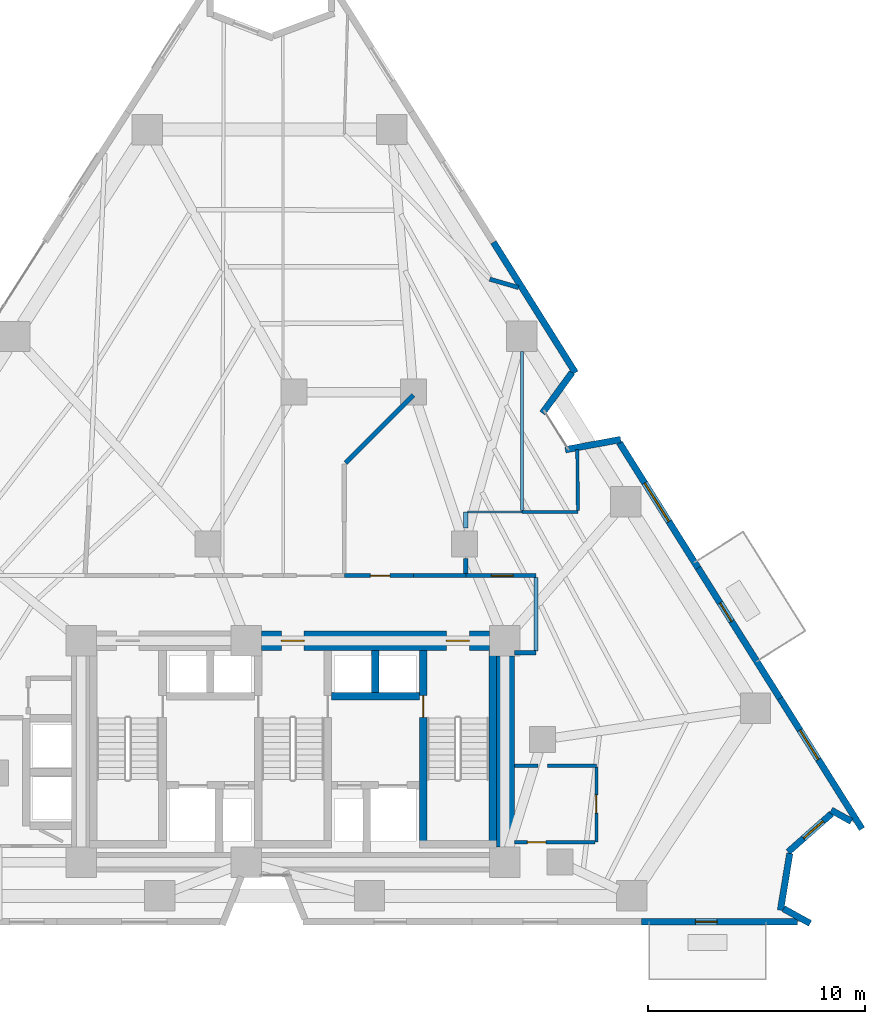
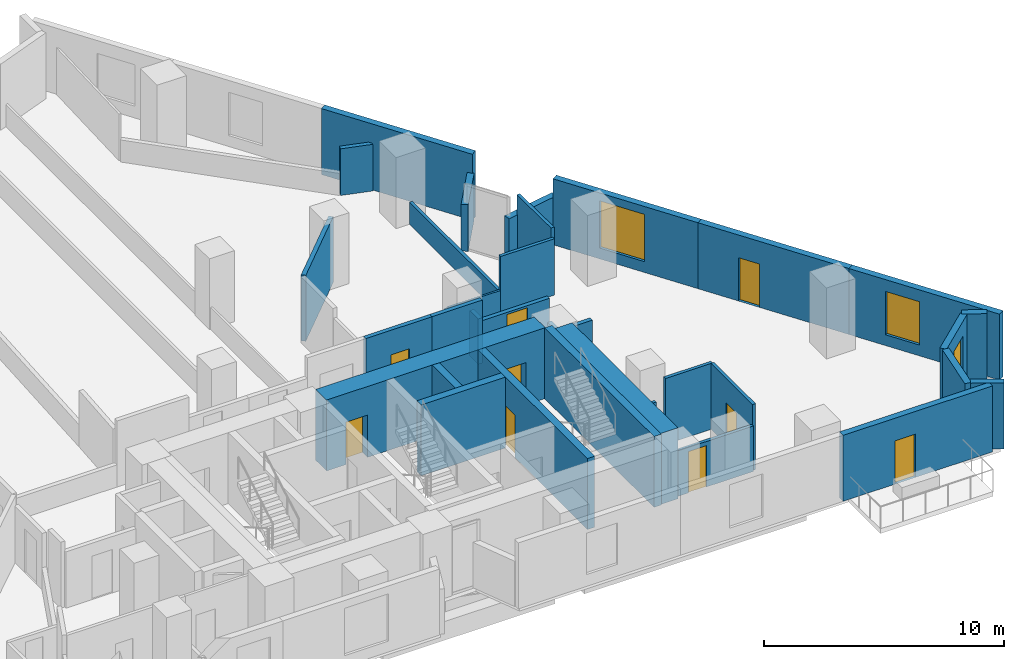
# One storey, part 8 of 12: 34 walls, 9 doors, 3 windows, 12 openings.
"""IFC4 building model written with IfcOpenShell, lengths in metres."""

from ifc_helpers import new_model, si_unit, direction, frame, frame_2d, origin, place, context, subcontext, project, spatial, rectangle, extrude, material, layer, layer_set, type_object, element, fill, save


model = new_model("IFC4")

# Units and contexts
model_context = context("Model", 3, precision=1e-05, world=origin(), true_north=direction((0.0, 1.0)))
body_context = subcontext(model_context, "Body", "Model", "MODEL_VIEW")
ifc_project = project(units=[si_unit("LENGTHUNIT", "METRE"), si_unit("AREAUNIT", "SQUARE_METRE"), si_unit("VOLUMEUNIT", "CUBIC_METRE"), si_unit("PLANEANGLEUNIT", "RADIAN"), si_unit("MASSUNIT", "GRAM", prefix="KILO")], contexts=[model_context])

# Site, building, storey
site_placement = place(None, origin())
site = spatial("IfcSite", under=ifc_project, at=site_placement, CompositionType="ELEMENT")
building_placement = place(site_placement, origin())
building = spatial("IfcBuilding", under=site, at=building_placement, Name="Almagre Mirador Tower", CompositionType="ELEMENT")
storey_placement = place(building_placement, frame((0.0, 0.0, 71.39990234375)))
storey = spatial("IfcBuildingStorey", under=building, at=storey_placement, Name="L17", CompositionType="ELEMENT", Elevation=71.39990234375)

# Walls
ifc_material_1 = material(Name="Precast concrete C50/60", Category="concrete")
ifc_layer_1 = layer(ifc_material_1, 0.300048828125)
ifc_layer_set_1 = layer_set([ifc_layer_1], Name="Precast concrete C50/60")
wall_type_1 = type_object("IfcWallType", Name="WAL-EXT-300", PredefinedType="SOLIDWALL", material=ifc_layer_set_1)
wall_1_placement = place(storey_placement, frame((46.53955078125, 33.098876953125, 0.0), z_axis=(0.0, 0.0, 1.0), x_axis=(0.531881188868, -0.846818989471, 0.0)))
element("IfcWall", 1, at=wall_1_placement, inside=storey, type_object=wall_type_1, Name="L17 expressed almagre precast frame wall 11", PredefinedType="SOLIDWALL", context=body_context, shape_type="SweptSolid", body=[
    extrude(rectangle(XDim=7.095458984375, YDim=0.300048828125, at=frame_2d((3.5478515625, 0.0))), origin(), (0.0, 0.0, 1.0), 3.35009765625),
])
wall_2_placement = place(storey_placement, frame((50.1591796875, 27.10009765625, 0.0), z_axis=(0.0, 0.0, 1.0), x_axis=(-0.589910976018, -0.80746829063, 0.0)))
element("IfcWall", 2, at=wall_2_placement, inside=storey, type_object=wall_type_1, Name="L17 expressed almagre precast frame wall 12", PredefinedType="SOLIDWALL", context=body_context, shape_type="SweptSolid", body=[
    extrude(rectangle(XDim=2.318359375, YDim=0.300048828125, at=frame_2d((1.1591796875, 0.0))), origin(), (0.0, 0.0, 1.0), 2.375),
])
wall_3_placement = place(storey_placement, frame((49.847412109375, 23.545654296875, 0.0), z_axis=(0.0, 0.0, 1.0), x_axis=(0.98340285181, 0.181435473521, 0.0)))
element("IfcWall", 3, at=wall_3_placement, inside=storey, type_object=wall_type_1, Name="L17 expressed almagre precast frame wall 13", PredefinedType="SOLIDWALL", context=body_context, shape_type="SweptSolid", body=[
    extrude(rectangle(XDim=2.59423828125, YDim=0.300048828125, at=frame_2d((1.297119140625, 0.0))), origin(), (0.0, 0.0, 1.0), 2.375),
])

# Wall, opening, window
wall_4_placement = place(storey_placement, frame((52.332763671875, 23.876708984375, 0.0), z_axis=(0.0, 0.0, 1.0), x_axis=(0.531902467435, -0.846805624176, 0.0)))
wall_4 = element("IfcWall", 4, at=wall_4_placement, inside=storey, type_object=wall_type_1, Name="L17 expressed almagre precast frame wall 14", PredefinedType="SOLIDWALL", context=body_context, shape_type="SweptSolid", body=[
    extrude(rectangle(XDim=6.8203125, YDim=0.300048828125, at=frame_2d((3.41015625, 0.0))), origin(), (0.0, 0.0, 1.0), 3.35009765625),
])
opening_1_placement = place(wall_4_placement, frame((2.199951171875, 0.0, 0.550048828125)))
opening_1 = element("IfcOpeningElement", 5, at=opening_1_placement, cuts=wall_4, Name="Opening WN-05", PredefinedType="OPENING", context=body_context, shape_type="SweptSolid", body=[
    extrude(rectangle(XDim=2.10009765625, YDim=2.39990234375, at=frame_2d((1.050048828125, 1.199951171875))), frame((0.0, 0.159902, 0.0), z_axis=(0.0, -1.0, 0.0), x_axis=(1.0, 0.0, 0.0)), (0.0, 0.0, 1.0), 0.320049),
])
ifc_material_2 = material(Name="Dark solar-control laminated hurricane glass", Category="glass")
window_type_1 = type_object("IfcWindowType", Name="WIN-2100X2400", PartitioningType="DOUBLE_PANEL_VERTICAL", PredefinedType="WINDOW", material=ifc_material_2)
window_1_placement = place(opening_1_placement, origin())
window_1 = element("IfcWindow", 6, at=window_1_placement, inside=storey, type_object=window_type_1, Name="L17 recessed hurricane window L17-UJ-KT", OverallHeight=2.39990234375, OverallWidth=2.10009765625, PartitioningType="SINGLE_PANEL", PredefinedType="WINDOW", context=body_context, shape_type="SweptSolid", body=[
    extrude(rectangle(XDim=2.10009765625, YDim=2.39990234375, at=frame_2d((1.050048828125, 1.199951171875))), frame((0.0, 0.030029296875, 0.0), z_axis=(0.0, -1.0, 0.0), x_axis=(1.0, 0.0, 0.0)), (0.0, 0.0, 1.0), 0.06005859375),
])
fill(opening_1, window_1)

# Wall, opening, door
wall_5_placement = place(storey_placement, frame((55.96044921875, 18.101318359375, 0.0), z_axis=(0.0, 0.0, 1.0), x_axis=(0.531905862358, -0.84680349172, 0.0)))
wall_5 = element("IfcWall", 7, at=wall_5_placement, inside=storey, type_object=wall_type_1, Name="L17 expressed almagre precast frame wall 15", PredefinedType="SOLIDWALL", context=body_context, shape_type="SweptSolid", body=[
    extrude(rectangle(XDim=7.095458984375, YDim=0.300048828125, at=frame_2d((3.5478515625, 0.0))), origin(), (0.0, 0.0, 1.0), 3.35009765625),
])
opening_2_placement = place(wall_5_placement, frame((1.9013671875, 0.0, 0.0)))
opening_2 = element("IfcOpeningElement", 8, at=opening_2_placement, cuts=wall_5, Name="Opening BD-01", PredefinedType="OPENING", context=body_context, shape_type="SweptSolid", body=[
    extrude(rectangle(XDim=1.0, YDim=2.199951171875, at=frame_2d((0.5, 1.10009765625))), frame((0.0, 0.159902, 0.0), z_axis=(0.0, -1.0, 0.0), x_axis=(1.0, 0.0, 0.0)), (0.0, 0.0, 1.0), 0.320049),
])
ifc_material_3 = material(Name="Black anodized aluminium and laminated glass", Category="aluminium")
door_type_1 = type_object("IfcDoorType", Name="DOR-BAL-1000X2200", OperationType="NOTDEFINED", PredefinedType="DOOR", material=ifc_material_3)
door_1_placement = place(opening_2_placement, origin())
door_1 = element("IfcDoor", 9, at=door_1_placement, inside=storey, type_object=door_type_1, Name="DR-0571 L17 east balcony glazed door 2", OperationType="SINGLE_SWING_RIGHT", OverallHeight=2.199951171875, OverallWidth=1.0, PredefinedType="DOOR", context=body_context, shape_type="SweptSolid", body=[
    extrude(rectangle(XDim=1.0, YDim=2.199951171875, at=frame_2d((0.5, 1.10009765625))), frame((0.0, 0.02490234375, 0.0), z_axis=(0.0, -1.0, 0.0), x_axis=(1.0, 0.0, 0.0)), (0.0, 0.0, 1.0), 0.050048828125),
])
fill(opening_2, door_1)

# Wall, opening, window
wall_6_placement = place(storey_placement, frame((59.734619140625, 12.0927734375, 0.0), z_axis=(0.0, 0.0, 1.0), x_axis=(0.531896686906, -0.846809255062, 0.0)))
wall_6 = element("IfcWall", 10, at=wall_6_placement, inside=storey, type_object=wall_type_1, Name="L17 expressed almagre precast frame wall 16", PredefinedType="SOLIDWALL", context=body_context, shape_type="SweptSolid", body=[
    extrude(rectangle(XDim=7.09521484375, YDim=0.300048828125, at=frame_2d((3.547607421875, 0.0))), origin(), (0.0, 0.0, 1.0), 3.35009765625),
])
opening_3_placement = place(wall_6_placement, frame((1.72509765625, 0.0, 0.550048828125)))
opening_3 = element("IfcOpeningElement", 11, at=opening_3_placement, cuts=wall_6, Name="Opening WN-06", PredefinedType="OPENING", context=body_context, shape_type="SweptSolid", body=[
    extrude(rectangle(XDim=1.60009765625, YDim=2.199951171875, at=frame_2d((0.800048828125, 1.10009765625))), frame((0.0, 0.159902, 0.0), z_axis=(0.0, -1.0, 0.0), x_axis=(1.0, 0.0, 0.0)), (0.0, 0.0, 1.0), 0.320049),
])
ifc_material_4 = material(Name="Dark solar-control laminated hurricane glass", Category="glass")
window_type_2 = type_object("IfcWindowType", Name="WIN-1600X2200", PartitioningType="DOUBLE_PANEL_VERTICAL", PredefinedType="WINDOW", material=ifc_material_4)
window_2_placement = place(opening_3_placement, origin())
window_2 = element("IfcWindow", 12, at=window_2_placement, inside=storey, type_object=window_type_2, Name="L17 recessed hurricane window L17-UD-ST", OverallHeight=2.199951171875, OverallWidth=1.60009765625, PartitioningType="SINGLE_PANEL", PredefinedType="WINDOW", context=body_context, shape_type="SweptSolid", body=[
    extrude(rectangle(XDim=1.60009765625, YDim=2.199951171875, at=frame_2d((0.800048828125, 1.10009765625))), frame((0.0, 0.030029296875, 0.0), z_axis=(0.0, -1.0, 0.0), x_axis=(1.0, 0.0, 0.0)), (0.0, 0.0, 1.0), 0.06005859375),
])
fill(opening_3, window_2)

# Wall
wall_7_placement = place(storey_placement, frame((63.022705078125, 6.430419921875, 0.0), z_axis=(0.0, 0.0, 1.0), x_axis=(-0.875139372777, 0.48387093136, 0.0)))
element("IfcWall", 13, at=wall_7_placement, inside=storey, type_object=wall_type_1, Name="L17 expressed almagre precast frame wall 17", PredefinedType="SOLIDWALL", context=body_context, shape_type="SweptSolid", body=[
    extrude(rectangle(XDim=1.065185546875, YDim=0.300048828125, at=frame_2d((0.53271484375, 0.0))), origin(), (0.0, 0.0, 1.0), 3.35009765625),
])

# Wall, opening, window
wall_8_placement = place(storey_placement, frame((62.11181640625, 6.788818359375, 0.0), z_axis=(0.0, 0.0, 1.0), x_axis=(-0.749880449764, -0.661573360303, 0.0)))
wall_8 = element("IfcWall", 14, at=wall_8_placement, inside=storey, type_object=wall_type_1, Name="L17 expressed almagre precast frame wall 18", PredefinedType="SOLIDWALL", context=body_context, shape_type="SweptSolid", body=[
    extrude(rectangle(XDim=2.67626953125, YDim=0.300048828125, at=frame_2d((1.338134765625, 0.0))), origin(), (0.0, 0.0, 1.0), 3.35009765625),
])
opening_4_placement = place(wall_8_placement, frame((0.52490234375, 0.0, 0.800048828125)))
opening_4 = element("IfcOpeningElement", 15, at=opening_4_placement, cuts=wall_8, Name="Opening WN-04", PredefinedType="OPENING", context=body_context, shape_type="SweptSolid", body=[
    extrude(rectangle(XDim=1.199951171875, YDim=1.800048828125, at=frame_2d((0.60009765625, 0.89990234375))), frame((0.0, 0.159902, 0.0), z_axis=(0.0, -1.0, 0.0), x_axis=(1.0, 0.0, 0.0)), (0.0, 0.0, 1.0), 0.320049),
])
ifc_material_5 = material(Name="Dark solar-control laminated hurricane glass", Category="glass")
window_type_3 = type_object("IfcWindowType", Name="WIN-1200X1800", PartitioningType="SINGLE_PANEL", PredefinedType="WINDOW", material=ifc_material_5)
window_3_placement = place(opening_4_placement, origin())
window_3 = element("IfcWindow", 16, at=window_3_placement, inside=storey, type_object=window_type_3, Name="L17 recessed hurricane window L17-UD-BT", OverallHeight=1.800048828125, OverallWidth=1.199951171875, PartitioningType="SINGLE_PANEL", PredefinedType="WINDOW", context=body_context, shape_type="SweptSolid", body=[
    extrude(rectangle(XDim=1.199951171875, YDim=1.800048828125, at=frame_2d((0.60009765625, 0.89990234375))), frame((0.0, 0.030029296875, 0.0), z_axis=(0.0, -1.0, 0.0), x_axis=(1.0, 0.0, 0.0)), (0.0, 0.0, 1.0), 0.06005859375),
])
fill(opening_4, window_3)

# Walls
wall_9_placement = place(storey_placement, frame((60.18505859375, 4.9580078125, 0.0), z_axis=(0.0, 0.0, 1.0), x_axis=(-0.16141694699, -0.986886300049, 0.0)))
element("IfcWall", 17, at=wall_9_placement, inside=storey, type_object=wall_type_1, Name="L17 expressed almagre precast frame wall 19", PredefinedType="SOLIDWALL", context=body_context, shape_type="SweptSolid", body=[
    extrude(rectangle(XDim=2.656005859375, YDim=0.300048828125, at=frame_2d((1.328125, 0.0))), origin(), (0.0, 0.0, 1.0), 3.35009765625),
])
wall_10_placement = place(storey_placement, frame((59.897216796875, 2.40966796875, 0.0), z_axis=(0.0, 0.0, 1.0), x_axis=(0.875216279123, -0.483731810777, 0.0)))
element("IfcWall", 18, at=wall_10_placement, inside=storey, type_object=wall_type_1, Name="L17 expressed almagre precast frame wall 20", PredefinedType="SOLIDWALL", context=body_context, shape_type="SweptSolid", body=[
    extrude(rectangle(XDim=1.400146484375, YDim=0.300048828125, at=frame_2d((0.7001953125, 0.0))), origin(), (0.0, 0.0, 1.0), 3.35009765625),
])

# Wall, opening, door
wall_11_placement = place(storey_placement, frame((60.534912109375, 1.800048828125, 0.0), z_axis=(0.0, 0.0, 1.0), x_axis=(-1.0, 0.0, 0.0)))
wall_11 = element("IfcWall", 19, at=wall_11_placement, inside=storey, type_object=wall_type_1, Name="L17 expressed almagre precast frame wall 21", PredefinedType="SOLIDWALL", context=body_context, shape_type="SweptSolid", body=[
    extrude(rectangle(XDim=7.188232421875, YDim=0.300048828125, at=frame_2d((3.59423828125, 0.0))), origin(), (0.0, 0.0, 1.0), 3.35009765625),
])
opening_5_placement = place(wall_11_placement, frame((3.69921875, 0.0, 0.0)))
opening_5 = element("IfcOpeningElement", 20, at=opening_5_placement, cuts=wall_11, Name="Opening BD-01", PredefinedType="OPENING", context=body_context, shape_type="SweptSolid", body=[
    extrude(rectangle(XDim=1.0, YDim=2.199951171875, at=frame_2d((0.5, 1.10009765625))), frame((0.0, 0.159902, 0.0), z_axis=(0.0, -1.0, 0.0), x_axis=(1.0, 0.0, 0.0)), (0.0, 0.0, 1.0), 0.320049),
])
door_2_placement = place(opening_5_placement, origin())
door_2 = element("IfcDoor", 21, at=door_2_placement, inside=storey, type_object=door_type_1, Name="DR-0570 L17 south balcony glazed door 1", OperationType="SINGLE_SWING_LEFT", OverallHeight=2.199951171875, OverallWidth=1.0, PredefinedType="DOOR", context=body_context, shape_type="SweptSolid", body=[
    extrude(rectangle(XDim=1.0, YDim=2.199951171875, at=frame_2d((0.5, 1.10009765625))), frame((0.0, 0.02490234375, 0.0), z_axis=(0.0, -1.0, 0.0), x_axis=(1.0, 0.0, 0.0)), (0.0, 0.0, 1.0), 0.050048828125),
])
fill(opening_5, door_2)

# Walls
ifc_material_6 = material(Name="Gypsum acoustic stud partition", Category="other")
ifc_layer_2 = layer(ifc_material_6, 0.10009765625)
ifc_layer_set_2 = layer_set([ifc_layer_2], Name="Gypsum acoustic stud partition")
wall_type_2 = type_object("IfcWallType", Name="WAL-PRT-100-CLS", PredefinedType="PARTITIONING", material=ifc_layer_set_2)
wall_12_placement = place(storey_placement, frame((47.85009765625, 20.679931640625, 0.0), z_axis=(0.0, 0.0, 1.0), x_axis=(-1.0, 0.0, 0.0)))
element("IfcWall", 22, at=wall_12_placement, inside=storey, type_object=wall_type_2, Name="L17 interior partition 062", PredefinedType="PARTITIONING", context=body_context, shape_type="SweptSolid", body=[
    extrude(rectangle(XDim=2.4951171875, YDim=0.10009765625, at=frame_2d((1.24755859375, 0.0))), origin(), (0.0, 0.0, 1.0), 1.1201171875),
])
ifc_material_7 = material(Name="Gypsum acoustic stud partition", Category="other")
ifc_layer_3 = layer(ifc_material_7, 0.14990234375)
ifc_layer_set_3 = layer_set([ifc_layer_3], Name="Gypsum acoustic stud partition")
wall_type_3 = type_object("IfcWallType", Name="WAL-PRT-150-STD", PredefinedType="PARTITIONING", material=ifc_layer_set_3)
wall_13_placement = place(storey_placement, frame((47.5, 8.989990234375, 0.0), z_axis=(0.0, 0.0, 1.0), x_axis=(1.0, 0.0, 0.0)))
element("IfcWall", 23, at=wall_13_placement, inside=storey, type_object=wall_type_3, Name="L17 interior partition 028", PredefinedType="PARTITIONING", context=body_context, shape_type="SweptSolid", body=[
    extrude(rectangle(XDim=1.080078125, YDim=0.14990234375, at=frame_2d((0.5400390625, 0.0))), origin(), (0.0, 0.0, 1.0), 2.30908203125),
])
wall_14_placement = place(storey_placement, frame((49.02001953125, 8.989990234375, 0.0), z_axis=(0.0, 0.0, 1.0), x_axis=(1.0, 0.0, 0.0)))
element("IfcWall", 24, at=wall_14_placement, inside=storey, type_object=wall_type_3, Name="L17 interior partition 029", PredefinedType="PARTITIONING", context=body_context, shape_type="SweptSolid", body=[
    extrude(rectangle(XDim=2.260009765625, YDim=0.14990234375, at=frame_2d((1.1298828125, 0.0))), origin(), (0.0, 0.0, 1.0), 3.35009765625),
])

# Wall, opening, door
wall_15_placement = place(storey_placement, frame((51.280029296875, 8.929931640625, 0.0), z_axis=(0.0, 0.0, 1.0), x_axis=(0.0, -1.0, 0.0)))
wall_15 = element("IfcWall", 25, at=wall_15_placement, inside=storey, type_object=wall_type_3, Name="L17 interior partition 030", PredefinedType="PARTITIONING", context=body_context, shape_type="SweptSolid", body=[
    extrude(rectangle(XDim=3.4599609375, YDim=0.14990234375, at=frame_2d((1.72998046875, 0.0))), origin(), (0.0, 0.0, 1.0), 3.35009765625),
])
opening_6_placement = place(wall_15_placement, frame((1.27490234375, 0.0, 0.0)))
opening_6 = element("IfcOpeningElement", 26, at=opening_6_placement, cuts=wall_15, Name="Opening UD-04", PredefinedType="OPENING", context=body_context, shape_type="SweptSolid", body=[
    extrude(rectangle(XDim=0.85009765625, YDim=2.10009765625, at=frame_2d((0.425048828125, 1.050048828125))), frame((0.0, 0.084951, 0.0), z_axis=(0.0, -1.0, 0.0), x_axis=(1.0, 0.0, 0.0)), (0.0, 0.0, 1.0), 0.169902),
])
ifc_material_8 = material(Name="Moisture-resistant oak timber", Category="wood")
door_type_2 = type_object("IfcDoorType", Name="DOR-UNR-850X2100", OperationType="NOTDEFINED", PredefinedType="DOOR", material=ifc_material_8)
door_3_placement = place(opening_6_placement, origin())
door_3 = element("IfcDoor", 27, at=door_3_placement, inside=storey, type_object=door_type_2, Name="DR-0586 L17 interior door L17-UC-LV to L17-UC-HB", OperationType="SINGLE_SWING_LEFT", OverallHeight=2.10009765625, OverallWidth=0.85009765625, PredefinedType="DOOR", context=body_context, shape_type="SweptSolid", body=[
    extrude(rectangle(XDim=0.85009765625, YDim=2.10009765625, at=frame_2d((0.425048828125, 1.050048828125))), frame((0.0, 0.02490234375, 0.0), z_axis=(0.0, -1.0, 0.0), x_axis=(1.0, 0.0, 0.0)), (0.0, 0.0, 1.0), 0.050048828125),
])
fill(opening_6, door_3)

wall_16_placement = place(storey_placement, frame((47.5, 5.469970703125, 0.0), z_axis=(0.0, 0.0, 1.0), x_axis=(1.0, 0.0, 0.0)))
wall_16 = element("IfcWall", 28, at=wall_16_placement, inside=storey, type_object=wall_type_3, Name="L17 interior partition 035", PredefinedType="PARTITIONING", context=body_context, shape_type="SweptSolid", body=[
    extrude(rectangle(XDim=3.719970703125, YDim=0.14990234375, at=frame_2d((1.85986328125, 0.0))), origin(), (0.0, 0.0, 1.0), 2.30908203125),
])
opening_7_placement = place(wall_16_placement, frame((0.600830078125, 0.0, 0.0)))
opening_7 = element("IfcOpeningElement", 29, at=opening_7_placement, cuts=wall_16, Name="Opening UD-04", PredefinedType="OPENING", context=body_context, shape_type="SweptSolid", body=[
    extrude(rectangle(XDim=0.85009765625, YDim=2.10009765625, at=frame_2d((0.425048828125, 1.050048828125))), frame((0.0, 0.084951, 0.0), z_axis=(0.0, -1.0, 0.0), x_axis=(1.0, 0.0, 0.0)), (0.0, 0.0, 1.0), 0.169902),
])
door_4_placement = place(opening_7_placement, origin())
door_4 = element("IfcDoor", 30, at=door_4_placement, inside=storey, type_object=door_type_2, Name="DR-0590 L17 interior door L17-UC-HB to L17-UJ-LV", OperationType="SINGLE_SWING_LEFT", OverallHeight=2.10009765625, OverallWidth=0.85009765625, PredefinedType="DOOR", context=body_context, shape_type="SweptSolid", body=[
    extrude(rectangle(XDim=0.85009765625, YDim=2.10009765625, at=frame_2d((0.425048828125, 1.050048828125))), frame((0.0, 0.02490234375, 0.0), z_axis=(0.0, -1.0, 0.0), x_axis=(1.0, 0.0, 0.0)), (0.0, 0.0, 1.0), 0.050048828125),
])
fill(opening_7, door_4)

# Walls
wall_17_placement = place(storey_placement, frame((50.429931640625, 20.679931640625, 0.0), z_axis=(0.0, 0.0, 1.0), x_axis=(-1.0, 0.0, 0.0)))
element("IfcWall", 31, at=wall_17_placement, inside=storey, type_object=wall_type_3, Name="L17 interior partition 060", PredefinedType="PARTITIONING", context=body_context, shape_type="SweptSolid", body=[
    extrude(rectangle(XDim=2.579833984375, YDim=0.14990234375, at=frame_2d((1.2900390625, 0.0))), origin(), (0.0, 0.0, 1.0), 2.860107421875),
])
wall_18_placement = place(storey_placement, frame((50.429443359375, 20.739990234375, 0.0), z_axis=(0.0, 0.0, 1.0), x_axis=(-0.010867033473, 0.999940952048, 0.0)))
element("IfcWall", 32, at=wall_18_placement, inside=storey, type_object=wall_type_3, Name="L17 interior partition 063", PredefinedType="PARTITIONING", context=body_context, shape_type="SweptSolid", body=[
    extrude(rectangle(XDim=2.808349609375, YDim=0.14990234375, at=frame_2d((1.404296875, 0.0))), origin(), (0.0, 0.0, 1.0), 3.35009765625),
])
wall_19_placement = place(storey_placement, frame((47.85009765625, 28.070068359375, 0.0), z_axis=(0.0, 0.0, 1.0), x_axis=(0.0, -1.0, 0.0)))
element("IfcWall", 33, at=wall_19_placement, inside=storey, type_object=wall_type_3, Name="L17 interior partition 064", PredefinedType="PARTITIONING", context=body_context, shape_type="SweptSolid", body=[
    extrude(rectangle(XDim=7.330078125, YDim=0.14990234375, at=frame_2d((3.6650390625, 0.0))), origin(), (0.0, 0.0, 1.0), 1.1201171875),
])
ifc_material_9 = material(Name="Gypsum acoustic stud partition", Category="other")
ifc_layer_4 = layer(ifc_material_9, 0.199951171875)
ifc_layer_set_4 = layer_set([ifc_layer_4], Name="Gypsum acoustic stud partition")
wall_type_4 = type_object("IfcWallType", Name="WAL-PRT-200-EI60", PredefinedType="PARTITIONING", material=ifc_layer_set_4)
wall_20_placement = place(storey_placement, frame((47.5, 14.199951171875, 0.0), z_axis=(0.0, 0.0, 1.0), x_axis=(1.0, 0.0, 0.0)))
element("IfcWall", 34, at=wall_20_placement, inside=storey, type_object=wall_type_4, Name="L17 interior partition 004", PredefinedType="PARTITIONING", context=body_context, shape_type="SweptSolid", body=[
    extrude(rectangle(XDim=1.0, YDim=0.199951171875, at=frame_2d((0.5, 0.0))), origin(), (0.0, 0.0, 1.0), 3.35009765625),
])

# Wall, opening, door
wall_21_placement = place(storey_placement, frame((42.85009765625, 17.75, 0.0), z_axis=(0.0, 0.0, 1.0), x_axis=(-1.0, 0.0, 0.0)))
wall_21 = element("IfcWall", 35, at=wall_21_placement, inside=storey, type_object=wall_type_4, Name="L17 interior partition 009", PredefinedType="PARTITIONING", context=body_context, shape_type="SweptSolid", body=[
    extrude(rectangle(XDim=3.18017578125, YDim=0.199951171875, at=frame_2d((1.590087890625, 0.0))), origin(), (0.0, 0.0, 1.0), 3.35009765625),
])
opening_8_placement = place(wall_21_placement, frame((1.081298828125, 0.0, 0.0)))
opening_8 = element("IfcOpeningElement", 36, at=opening_8_placement, cuts=wall_21, Name="Opening ID-03", PredefinedType="OPENING", context=body_context, shape_type="SweptSolid", body=[
    extrude(rectangle(XDim=0.89990234375, YDim=2.10009765625, at=frame_2d((0.449951171875, 1.050048828125))), frame((0.0, 0.110098, 0.0), z_axis=(0.0, -1.0, 0.0), x_axis=(1.0, 0.0, 0.0)), (0.0, 0.0, 1.0), 0.219951),
])
ifc_material_10 = material(Name="Fire-rated hollow steel", Category="steel")
door_type_3 = type_object("IfcDoorType", Name="DOR-FD60-900X2100", OperationType="NOTDEFINED", PredefinedType="DOOR", material=ifc_material_10)
door_5_placement = place(opening_8_placement, origin())
door_5 = element("IfcDoor", 37, at=door_5_placement, inside=storey, type_object=door_type_3, Name="DR-0580 L17 interior door L17-RCOR to L17-UH-ST", OperationType="SINGLE_SWING_LEFT", OverallHeight=2.10009765625, OverallWidth=0.89990234375, PredefinedType="DOOR", context=body_context, shape_type="SweptSolid", body=[
    extrude(rectangle(XDim=0.89990234375, YDim=2.10009765625, at=frame_2d((0.449951171875, 1.050048828125))), frame((0.0, 0.02490234375, 0.0), z_axis=(0.0, -1.0, 0.0), x_axis=(1.0, 0.0, 0.0)), (0.0, 0.0, 1.0), 0.050048828125),
])
fill(opening_8, door_5)

wall_22_placement = place(storey_placement, frame((48.5, 17.75, 0.0), z_axis=(0.0, 0.0, 1.0), x_axis=(-1.0, 0.0, 0.0)))
wall_22 = element("IfcWall", 38, at=wall_22_placement, inside=storey, type_object=wall_type_4, Name="L17 interior partition 011", PredefinedType="PARTITIONING", context=body_context, shape_type="SweptSolid", body=[
    extrude(rectangle(XDim=3.22998046875, YDim=0.199951171875, at=frame_2d((1.614990234375, 0.0))), origin(), (0.0, 0.0, 1.0), 2.30908203125),
])
opening_9_placement = place(wall_22_placement, frame((1.0576171875, 0.0, 0.0)))
opening_9 = element("IfcOpeningElement", 39, at=opening_9_placement, cuts=wall_22, Name="Opening ID-01", PredefinedType="OPENING", context=body_context, shape_type="SweptSolid", body=[
    extrude(rectangle(XDim=1.0, YDim=2.199951171875, at=frame_2d((0.5, 1.10009765625))), frame((0.0, 0.110098, 0.0), z_axis=(0.0, -1.0, 0.0), x_axis=(1.0, 0.0, 0.0)), (0.0, 0.0, 1.0), 0.219951),
])
ifc_material_11 = material(Name="Fire-rated walnut timber", Category="wood")
door_type_4 = type_object("IfcDoorType", Name="DOR-FD60-1000X2200", OperationType="NOTDEFINED", PredefinedType="DOOR", material=ifc_material_11)
door_6_placement = place(opening_9_placement, origin())
door_6 = element("IfcDoor", 40, at=door_6_placement, inside=storey, type_object=door_type_4, Name="DR-0589 L17 interior door L17-RCOR to L17-UJ-LV", OperationType="SINGLE_SWING_RIGHT", OverallHeight=2.199951171875, OverallWidth=1.0, PredefinedType="DOOR", context=body_context, shape_type="SweptSolid", body=[
    extrude(rectangle(XDim=1.0, YDim=2.199951171875, at=frame_2d((0.5, 1.10009765625))), frame((0.0, 0.02490234375, 0.0), z_axis=(0.0, -1.0, 0.0), x_axis=(1.0, 0.0, 0.0)), (0.0, 0.0, 1.0), 0.050048828125),
])
fill(opening_9, door_6)

# Walls
wall_23_placement = place(storey_placement, frame((45.27001953125, 19.949951171875, 0.0), z_axis=(0.0, 0.0, 1.0), x_axis=(0.0, 1.0, 0.0)))
element("IfcWall", 41, at=wall_23_placement, inside=storey, type_object=wall_type_4, Name="L17 interior partition 055", PredefinedType="PARTITIONING", context=body_context, shape_type="SweptSolid", body=[
    extrude(rectangle(XDim=0.72998046875, YDim=0.199951171875, at=frame_2d((0.364990234375, 0.0))), origin(), (0.0, 0.0, 1.0), 1.1201171875),
])
wall_24_placement = place(storey_placement, frame((42.85009765625, 26.06005859375, 0.0), z_axis=(0.0, 0.0, 1.0), x_axis=(-0.707134446312, -0.707079114978, 0.0)))
element("IfcWall", 42, at=wall_24_placement, inside=storey, type_object=wall_type_4, Name="L17 interior partition 058", PredefinedType="PARTITIONING", context=body_context, shape_type="SweptSolid", body=[
    extrude(rectangle(XDim=4.412353515625, YDim=0.199951171875, at=frame_2d((2.2060546875, 0.0))), origin(), (0.0, 0.0, 1.0), 3.35009765625),
])
wall_25_placement = place(storey_placement, frame((45.27001953125, 17.8349609375, 0.0), z_axis=(0.0, 0.0, 1.0), x_axis=(0.0, 1.0, 0.0)))
element("IfcWall", 43, at=wall_25_placement, inside=storey, type_object=wall_type_4, Name="L17 interior partition 059", PredefinedType="PARTITIONING", context=body_context, shape_type="SweptSolid", body=[
    extrude(rectangle(XDim=0.705078125, YDim=0.199951171875, at=frame_2d((0.3525390625, 0.0))), origin(), (0.0, 0.0, 1.0), 2.30908203125),
])
wall_26_placement = place(storey_placement, frame((47.69189453125, 31.014892578125, 0.0), z_axis=(0.0, 0.0, 1.0), x_axis=(-0.960099248001, 0.279659496509, 0.0)))
element("IfcWall", 44, at=wall_26_placement, inside=storey, type_object=wall_type_4, Name="L17 interior partition 086", PredefinedType="PARTITIONING", context=body_context, shape_type="SweptSolid", body=[
    extrude(rectangle(XDim=1.376708984375, YDim=0.199951171875, at=frame_2d((0.6884765625, 0.0))), origin(), (0.0, 0.0, 1.0), 2.3701171875),
])
wall_27_placement = place(storey_placement, frame((45.27001953125, 17.75, 0.0), z_axis=(0.0, 0.0, 1.0), x_axis=(-1.0, 0.0, 0.0)))
element("IfcWall", 45, at=wall_27_placement, inside=storey, type_object=wall_type_4, Name="L17 interior partition 087", PredefinedType="PARTITIONING", context=body_context, shape_type="SweptSolid", body=[
    extrude(rectangle(XDim=2.419921875, YDim=0.199951171875, at=frame_2d((1.2099609375, 0.0))), origin(), (0.0, 0.0, 1.0), 3.35009765625),
])
wall_28_placement = place(storey_placement, frame((48.5, 14.280029296875, 0.0), z_axis=(0.0, 0.0, 1.0), x_axis=(0.0, 1.0, 0.0)))
element("IfcWall", 46, at=wall_28_placement, inside=storey, type_object=wall_type_4, Name="L17 interior partition 088", PredefinedType="PARTITIONING", context=body_context, shape_type="SweptSolid", body=[
    extrude(rectangle(XDim=3.389892578125, YDim=0.199951171875, at=frame_2d((1.69482421875, 0.0))), origin(), (0.0, 0.0, 1.0), 1.1201171875),
])

# Wall, opening, door
ifc_material_12 = material(Name="Concrete C60/75", Category="concrete")
ifc_layer_5 = layer(ifc_material_12, 0.35009765625)
ifc_layer_set_5 = layer_set([ifc_layer_5], Name="Concrete C60/75")
wall_type_5 = type_object("IfcWallType", Name="WAL-SHF-350", PredefinedType="SOLIDWALL", material=ifc_layer_set_5)
wall_29_placement = place(storey_placement, frame((43.300048828125, 5.199951171875, 0.0), z_axis=(0.0, 0.0, 1.0), x_axis=(0.0, 1.0, 0.0)))
wall_29 = element("IfcWall", 47, at=wall_29_placement, inside=storey, type_object=wall_type_5, Name="L17 shaft wall ST3-W", PredefinedType="SOLIDWALL", context=body_context, shape_type="SweptSolid", body=[
    extrude(rectangle(XDim=9.10009765625, YDim=0.35009765625, at=frame_2d((4.550048828125, 0.0))), origin(), (0.0, 0.0, 1.0), 3.60009765625),
])
opening_10_placement = place(wall_29_placement, frame((6.02001953125, 0.0, 0.0)))
opening_10 = element("IfcOpeningElement", 48, at=opening_10_placement, cuts=wall_29, Name="Opening FD-01", PredefinedType="OPENING", context=body_context, shape_type="SweptSolid", body=[
    extrude(rectangle(XDim=1.0, YDim=2.14990234375, at=frame_2d((0.5, 1.074951171875))), frame((0.0, 0.185049, 0.0), z_axis=(0.0, -1.0, 0.0), x_axis=(1.0, 0.0, 0.0)), (0.0, 0.0, 1.0), 0.370098),
])
ifc_material_13 = material(Name="Fire-rated hollow steel", Category="steel")
door_type_5 = type_object("IfcDoorType", Name="DOR-FFL-1000X2150", OperationType="NOTDEFINED", PredefinedType="DOOR", material=ifc_material_13)
door_7_placement = place(opening_10_placement, origin())
door_7 = element("IfcDoor", 49, at=door_7_placement, inside=storey, type_object=door_type_5, Name="DR-0576 L17 FFL2-ST3 smokeproof door", OperationType="SINGLE_SWING_RIGHT", OverallHeight=2.14990234375, OverallWidth=1.0, PredefinedType="DOOR", context=body_context, shape_type="SweptSolid", body=[
    extrude(rectangle(XDim=1.0, YDim=2.14990234375, at=frame_2d((0.5, 1.074951171875))), frame((0.0, 0.02490234375, 0.0), z_axis=(0.0, -1.0, 0.0), x_axis=(1.0, 0.0, 0.0)), (0.0, 0.0, 1.0), 0.050048828125),
])
fill(opening_10, door_7)

# Walls
wall_30_placement = place(storey_placement, frame((46.5, 5.199951171875, 0.0), z_axis=(0.0, 0.0, 1.0), x_axis=(0.0, 1.0, 0.0)))
element("IfcWall", 50, at=wall_30_placement, inside=storey, type_object=wall_type_5, Name="L17 shaft wall ST3-E", PredefinedType="SOLIDWALL", context=body_context, shape_type="SweptSolid", body=[
    extrude(rectangle(XDim=9.10009765625, YDim=0.35009765625, at=frame_2d((4.550048828125, 0.0))), origin(), (0.0, 0.0, 1.0), 3.60009765625),
])
wall_31_placement = place(storey_placement, frame((39.074951171875, 12.199951171875, 0.0), z_axis=(0.0, 0.0, 1.0), x_axis=(1.0, 0.0, 0.0)))
element("IfcWall", 51, at=wall_31_placement, inside=storey, type_object=wall_type_5, Name="L17 shaft wall PLH-S", PredefinedType="SOLIDWALL", context=body_context, shape_type="SweptSolid", body=[
    extrude(rectangle(XDim=4.050048828125, YDim=0.35009765625, at=frame_2d((2.02490234375, 0.0))), origin(), (0.0, 0.0, 1.0), 3.60009765625),
])
wall_32_placement = place(storey_placement, frame((41.10009765625, 12.375, 0.0), z_axis=(0.0, 0.0, 1.0), x_axis=(0.0, 1.0, 0.0)))
element("IfcWall", 52, at=wall_32_placement, inside=storey, type_object=wall_type_5, Name="L17 shaft wall PLH-M", PredefinedType="SOLIDWALL", context=body_context, shape_type="SweptSolid", body=[
    extrude(rectangle(XDim=1.925048828125, YDim=0.35009765625, at=frame_2d((0.96240234375, 0.0))), origin(), (0.0, 0.0, 1.0), 3.60009765625),
])

# Wall, openings, doors
ifc_material_14 = material(Name="Concrete C70/85", Category="concrete")
ifc_layer_6 = layer(ifc_material_14, 0.89990234375)
ifc_layer_set_6 = layer_set([ifc_layer_6], Name="Concrete C70/85")
wall_type_6 = type_object("IfcWallType", Name="WAL-SHR-900", PredefinedType="SHEAR", material=ifc_layer_set_6)
wall_33_placement = place(storey_placement, frame((35.85009765625, 14.75, 0.0), z_axis=(0.0, 0.0, 1.0), x_axis=(1.0, 0.0, 0.0)))
wall_33 = element("IfcWall", 53, at=wall_33_placement, inside=storey, type_object=wall_type_6, Name="L17 core shear wall N2", PredefinedType="SHEAR", context=body_context, shape_type="SweptSolid", body=[
    extrude(rectangle(XDim=10.5, YDim=0.89990234375, at=frame_2d((5.25, 0.0))), origin(), (0.0, 0.0, 1.0), 3.60009765625),
])
opening_11_placement = place(wall_33_placement, frame((0.925048828125, 0.0, 0.0)))
opening_11 = element("IfcOpeningElement", 54, at=opening_11_placement, cuts=wall_33, Name="Opening SD-01", PredefinedType="OPENING", context=body_context, shape_type="SweptSolid", body=[
    extrude(rectangle(XDim=1.050048828125, YDim=2.14990234375, at=frame_2d((0.52490234375, 1.074951171875))), frame((0.0, 0.459951, 0.0), z_axis=(0.0, -1.0, 0.0), x_axis=(1.0, 0.0, 0.0)), (0.0, 0.0, 1.0), 0.919902),
])
opening_12_placement = place(wall_33_placement, frame((8.52490234375, 0.0, 0.0)))
opening_12 = element("IfcOpeningElement", 55, at=opening_12_placement, cuts=wall_33, Name="Opening SD-01", PredefinedType="OPENING", context=body_context, shape_type="SweptSolid", body=[
    extrude(rectangle(XDim=1.050048828125, YDim=2.14990234375, at=frame_2d((0.52490234375, 1.074951171875))), frame((0.0, 0.459951, 0.0), z_axis=(0.0, -1.0, 0.0), x_axis=(1.0, 0.0, 0.0)), (0.0, 0.0, 1.0), 0.919902),
])
ifc_material_15 = material(Name="Fire-rated hollow steel", Category="steel")
door_type_6 = type_object("IfcDoorType", Name="DOR-ST-1050X2150", OperationType="NOTDEFINED", PredefinedType="DOOR", material=ifc_material_15)
door_8_placement = place(opening_11_placement, origin())
door_8 = element("IfcDoor", 56, at=door_8_placement, inside=storey, type_object=door_type_6, Name="DR-0596 L17 protected exit stair ST-2 door", OperationType="SINGLE_SWING_RIGHT", OverallHeight=2.14990234375, OverallWidth=1.050048828125, PredefinedType="DOOR", context=body_context, shape_type="SweptSolid", body=[
    extrude(rectangle(XDim=1.050048828125, YDim=2.14990234375, at=frame_2d((0.52490234375, 1.074951171875))), frame((0.0, 0.02490234375, 0.0), z_axis=(0.0, -1.0, 0.0), x_axis=(1.0, 0.0, 0.0)), (0.0, 0.0, 1.0), 0.050048828125),
])
fill(opening_11, door_8)
door_9_placement = place(opening_12_placement, origin())
door_9 = element("IfcDoor", 57, at=door_9_placement, inside=storey, type_object=door_type_6, Name="DR-0597 L17 protected exit stair ST-3 door", OperationType="SINGLE_SWING_LEFT", OverallHeight=2.14990234375, OverallWidth=1.050048828125, PredefinedType="DOOR", context=body_context, shape_type="SweptSolid", body=[
    extrude(rectangle(XDim=1.050048828125, YDim=2.14990234375, at=frame_2d((0.52490234375, 1.074951171875))), frame((0.0, 0.02490234375, 0.0), z_axis=(0.0, -1.0, 0.0), x_axis=(1.0, 0.0, 0.0)), (0.0, 0.0, 1.0), 0.050048828125),
])
fill(opening_12, door_9)

# Wall
wall_34_placement = place(storey_placement, frame((47.050048828125, 5.25, 0.0), z_axis=(0.0, 0.0, 1.0), x_axis=(0.0, 1.0, 0.0)))
element("IfcWall", 58, at=wall_34_placement, inside=storey, type_object=wall_type_6, Name="L17 core shear wall E1", PredefinedType="SHEAR", context=body_context, shape_type="SweptSolid", body=[
    extrude(rectangle(XDim=8.800048828125, YDim=0.89990234375, at=frame_2d((4.39990234375, 0.0))), origin(), (0.0, 0.0, 1.0), 3.60009765625),
])

save(model, "model.ifc")
